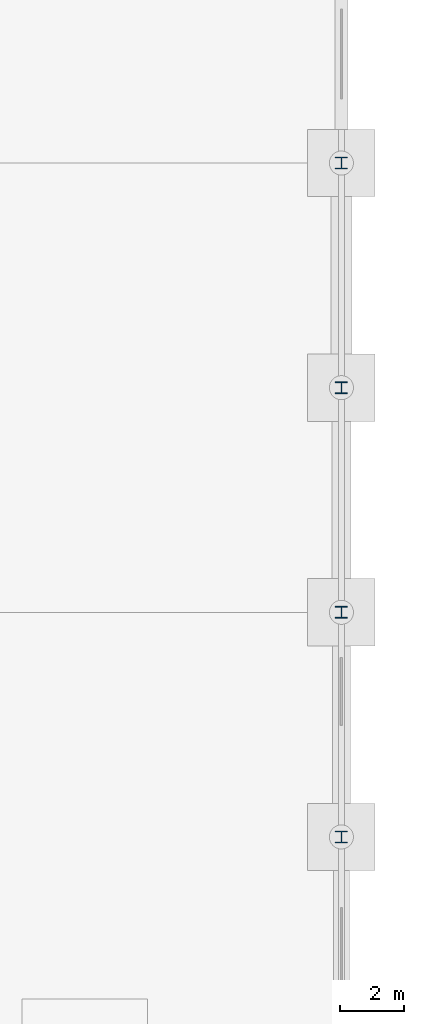
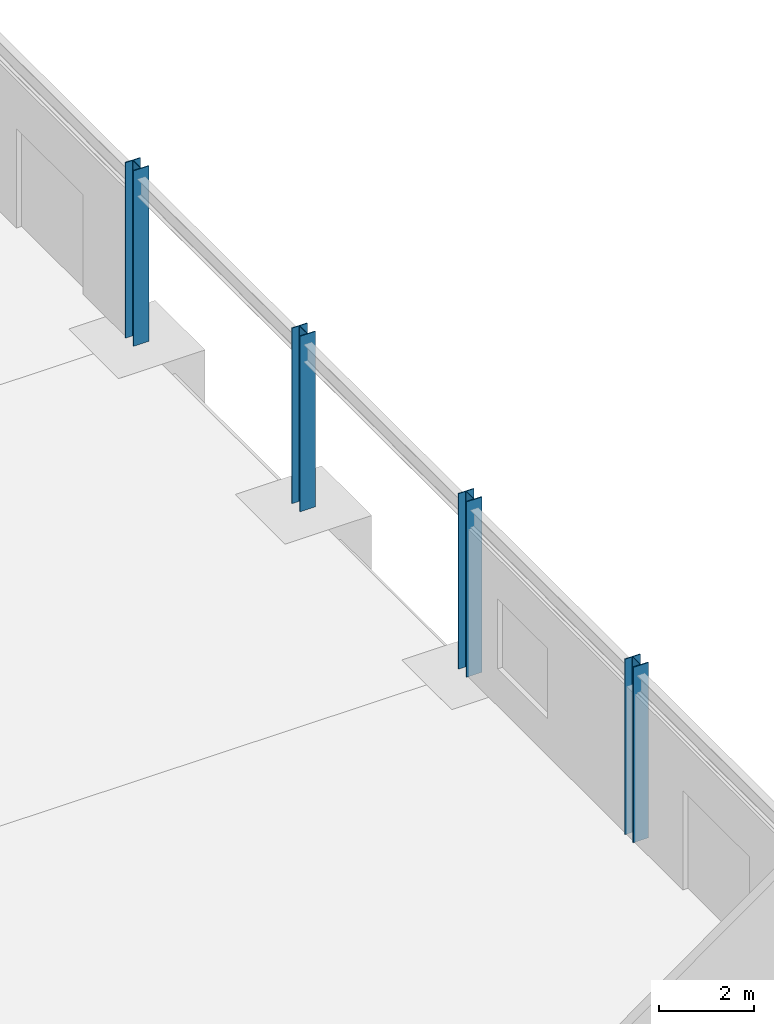
# One storey, part 17 of 84: 4 columns.
"""IFC4 building model written with IfcOpenShell, lengths in metres."""

from ifc_helpers import new_model, si_unit, direction, frame, origin, origin_2d, place, context, subcontext, project, spatial, i_section, extrude, material, material_profile, profile_set, type_object, element, save


model = new_model("IFC4")

# Units and contexts
model_context = context("Model", 3, precision=1e-05, world=origin(), true_north=direction((0.0, 1.0)))
body_context = subcontext(model_context, "Body", "Model", "MODEL_VIEW")
ifc_project = project(units=[si_unit("LENGTHUNIT", "METRE"), si_unit("AREAUNIT", "SQUARE_METRE"), si_unit("VOLUMEUNIT", "CUBIC_METRE"), si_unit("PLANEANGLEUNIT", "RADIAN"), si_unit("MASSUNIT", "GRAM", prefix="KILO")], contexts=[model_context])

# Site, building, storey
site_placement = place(None, origin())
site = spatial("IfcSite", under=ifc_project, at=site_placement, CompositionType="ELEMENT")
building_placement = place(site_placement, origin())
building = spatial("IfcBuilding", under=site, at=building_placement, Name="Larkveld Mobility Hub", CompositionType="ELEMENT")
storey_placement = place(building_placement, origin())
storey = spatial("IfcBuildingStorey", under=building, at=storey_placement, Name="L00", CompositionType="ELEMENT", Elevation=0.0)

# Columns
ifc_material = material(Name="Steel S355JR", Category="steel")
ifc_material_profile = material_profile(ifc_material, i_section(OverallWidth=0.37255859375, OverallDepth=0.3681640625, WebThickness=0.014404296875, FlangeThickness=0.023681640625, FilletRadius=0.01513671875, at=origin_2d()), Name="UC 356x368x177")
ifc_profile_set = profile_set([ifc_material_profile], Name="Steel S355JR")
column_type = type_object("IfcColumnType", Name="CL-STUC356", PredefinedType="COLUMN", material=ifc_profile_set)
for number, where, z_axis, x_axis, name in (
    (1, (184.0, 35.0, 0.0), (0.0, 0.0, 1.0), (1.0, 0.0, 0.0), "Column V1-X184-Y35 (L00)"),
    (2, (184.0, 42.0, 0.0), (0.0, 0.0, 1.0), (1.0, 0.0, 0.0), "Column V1-X184-Y42 (L00)"),
    (3, (184.0, 49.0, 0.0), (0.0, 0.0, 1.0), (1.0, 0.0, 0.0), "Column V1-X184-Y49 (L00)"),
    (4, (184.0, 56.0, 0.0), (0.0, 0.0, 1.0), (1.0, 0.0, 0.0), "Column V1-X184-Y56 (L00)"),
):
    element("IfcColumn", number, at=place(storey_placement, frame(where, z_axis=z_axis, x_axis=x_axis)), inside=storey, type_object=column_type, Name=name, PredefinedType="COLUMN", context=body_context, shape_type="SweptSolid", body=[
        extrude(i_section(OverallWidth=0.37255859375, OverallDepth=0.3681640625, WebThickness=0.014404296875, FlangeThickness=0.023681640625, FilletRadius=0.01513671875, at=origin_2d()), origin(), (0.0, 0.0, 1.0), 4.5),
    ])

save(model, "model.ifc")
